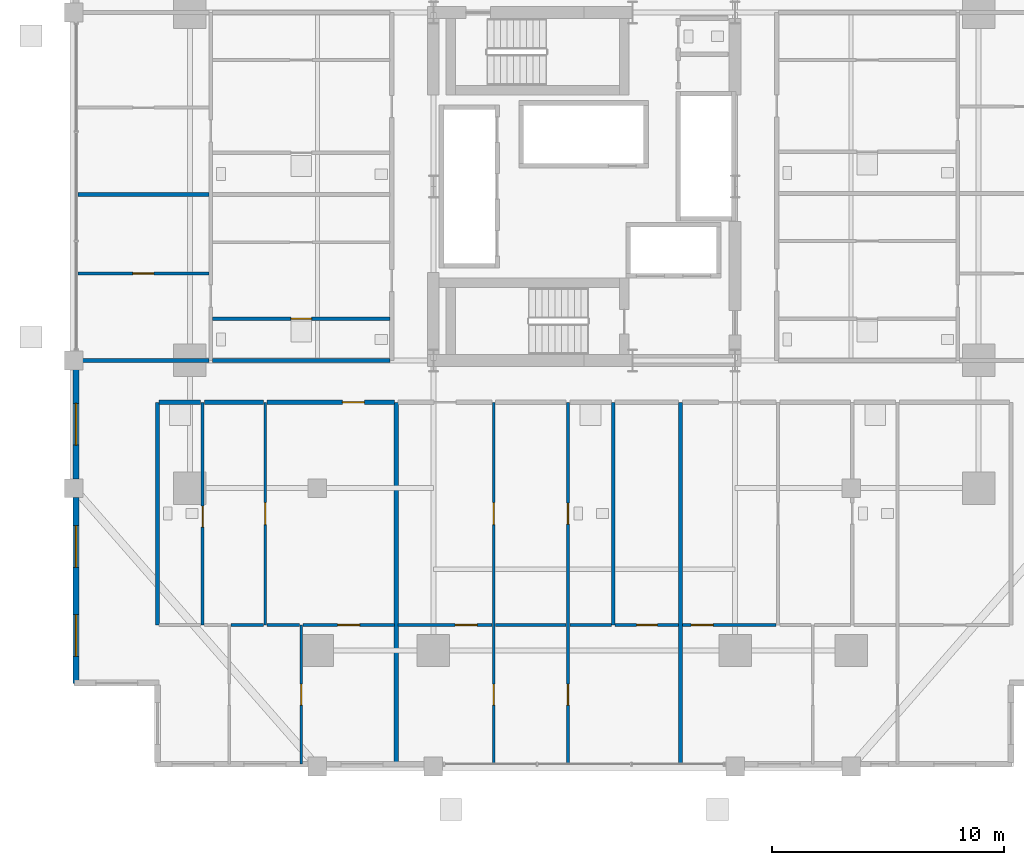
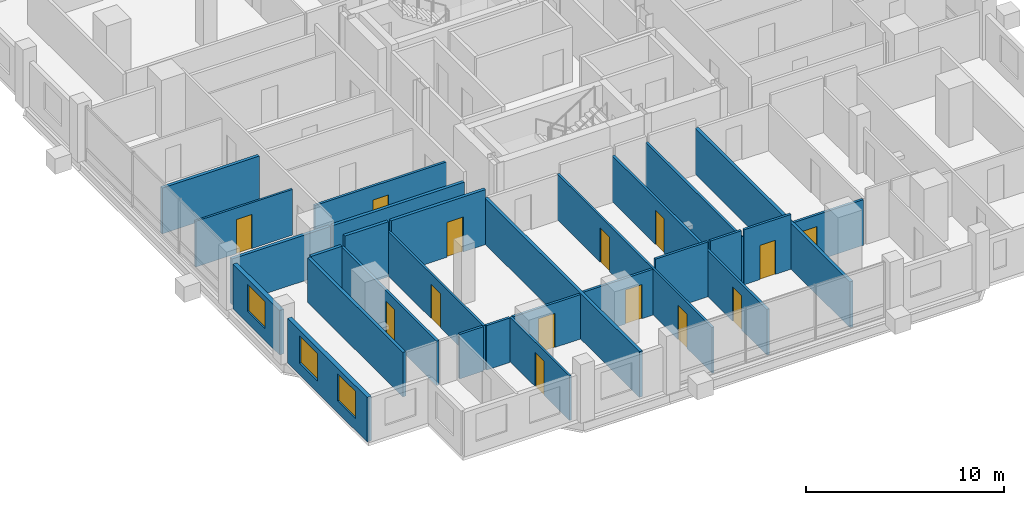
# One storey, part 17 of 24: 27 walls, 14 doors, 3 windows, 17 openings.
"""IFC4 building model written with IfcOpenShell, lengths in metres."""

from ifc_helpers import new_model, si_unit, direction, frame, frame_2d, origin, place, context, subcontext, project, spatial, rectangle, extrude, material, layer, layer_set, type_object, element, fill, save


model = new_model("IFC4")

# Units and contexts
model_context = context("Model", 3, precision=1e-05, world=origin(), true_north=direction((0.0, 1.0)))
body_context = subcontext(model_context, "Body", "Model", "MODEL_VIEW")
ifc_project = project(units=[si_unit("LENGTHUNIT", "METRE"), si_unit("AREAUNIT", "SQUARE_METRE"), si_unit("VOLUMEUNIT", "CUBIC_METRE"), si_unit("PLANEANGLEUNIT", "RADIAN"), si_unit("MASSUNIT", "GRAM", prefix="KILO")], contexts=[model_context])

# Site, building, storey
site_placement = place(None, origin())
site = spatial("IfcSite", under=ifc_project, at=site_placement, CompositionType="ELEMENT")
building_placement = place(site_placement, origin())
building = spatial("IfcBuilding", under=site, at=building_placement, Name="Barlavira Tower and Art Museum", CompositionType="ELEMENT")
storey_placement = place(building_placement, frame((0.0, 0.0, 32.39990234375)))
storey = spatial("IfcBuildingStorey", under=building, at=storey_placement, Name="L06", CompositionType="ELEMENT", Elevation=32.39990234375)

# Wall, opening, door
ifc_material_1 = material(Name="Gypsum acoustic stud partition", Category="gypsum")
ifc_layer_1 = layer(ifc_material_1, 0.1201171875, Name="Gypsum acoustic stud partition")
ifc_layer_set_1 = layer_set([ifc_layer_1], Name="Gypsum acoustic stud partition")
wall_type_1 = type_object("IfcWallType", Name="Apartment Internal Acoustic Partition 120", PredefinedType="PARTITIONING", material=ifc_layer_set_1)
wall_1_placement = place(storey_placement, frame((-13.75, -18.89990234375, 0.0), z_axis=(0.0, 0.0, 1.0), x_axis=(0.0, 1.0, 0.0)))
wall_1 = element("IfcWall", 1, at=wall_1_placement, inside=storey, type_object=wall_type_1, Name="L06 Partition Wall 6", PredefinedType="PARTITIONING", context=body_context, shape_type="SweptSolid", body=[
    extrude(rectangle(XDim=9.599853515625, YDim=0.1201171875, at=frame_2d((4.7998046875, 0.0))), origin(), (0.0, 0.0, 1.0), 2.736083984375),
])
opening_1_placement = place(wall_1_placement, frame((4.324951171875, 0.0, 0.0)))
opening_1 = element("IfcOpeningElement", 2, at=opening_1_placement, cuts=wall_1, Name="Opening D-02", PredefinedType="OPENING", context=body_context, shape_type="SweptSolid", body=[
    extrude(rectangle(XDim=0.949951171875, YDim=2.10009765625, at=frame_2d((0.47509765625, 1.050048828125))), frame((0.0, 0.070068359375, 0.0), z_axis=(0.0, -1.0, 0.0), x_axis=(1.0, 0.0, 0.0)), (0.0, 0.0, 1.0), 0.14013671875),
])
ifc_material_2 = material(Name="Engineered coastal hardwood", Category="wood")
door_type_1 = type_object("IfcDoorType", Name="Living and Salon Glazed-Leaf Door 950x2100", OperationType="NOTDEFINED", PredefinedType="DOOR", material=ifc_material_2)
door_1_placement = place(opening_1_placement, origin())
door_1 = element("IfcDoor", 3, at=door_1_placement, inside=storey, type_object=door_type_1, Name="Apartment S1 Kitchen Door", OperationType="SINGLE_SWING_RIGHT", OverallHeight=2.10009765625, OverallWidth=0.949951171875, PredefinedType="DOOR", context=body_context, shape_type="SweptSolid", body=[
    extrude(rectangle(XDim=0.949951171875, YDim=2.10009765625, at=frame_2d((0.47509765625, 1.050048828125))), frame((0.0, 0.02490234375, 0.0), z_axis=(0.0, -1.0, 0.0), x_axis=(1.0, 0.0, 0.0)), (0.0, 0.0, 1.0), 0.050048828125),
])
fill(opening_1, door_1)

wall_2_placement = place(storey_placement, frame((-12.199951171875, -24.89990234375, 0.0), z_axis=(0.0, 0.0, 1.0), x_axis=(0.0, 1.0, 0.0)))
wall_2 = element("IfcWall", 4, at=wall_2_placement, inside=storey, type_object=wall_type_1, Name="L06 Partition Wall 8", PredefinedType="PARTITIONING", context=body_context, shape_type="SweptSolid", body=[
    extrude(rectangle(XDim=6.0, YDim=0.1201171875, at=frame_2d((3.0, 0.0))), origin(), (0.0, 0.0, 1.0), 2.736083984375),
])
opening_2_placement = place(wall_2_placement, frame((2.550048828125, 0.0, 0.0)))
opening_2 = element("IfcOpeningElement", 5, at=opening_2_placement, cuts=wall_2, Name="Opening D-01", PredefinedType="OPENING", context=body_context, shape_type="SweptSolid", body=[
    extrude(rectangle(XDim=0.89990234375, YDim=2.10009765625, at=frame_2d((0.449951171875, 1.050048828125))), frame((0.0, 0.070068359375, 0.0), z_axis=(0.0, -1.0, 0.0), x_axis=(1.0, 0.0, 0.0)), (0.0, 0.0, 1.0), 0.14013671875),
])
door_type_2 = type_object("IfcDoorType", Name="Internal Bedroom Timber Flush Door 900x2100", OperationType="NOTDEFINED", PredefinedType="DOOR", material=ifc_material_2)
door_2_placement = place(opening_2_placement, origin())
door_2 = element("IfcDoor", 6, at=door_2_placement, inside=storey, type_object=door_type_2, Name="Apartment S1 Bedroom 1 Door", OperationType="SINGLE_SWING_LEFT", OverallHeight=2.10009765625, OverallWidth=0.89990234375, PredefinedType="DOOR", context=body_context, shape_type="SweptSolid", body=[
    extrude(rectangle(XDim=0.89990234375, YDim=2.10009765625, at=frame_2d((0.449951171875, 1.050048828125))), frame((0.0, 0.02490234375, 0.0), z_axis=(0.0, -1.0, 0.0), x_axis=(1.0, 0.0, 0.0)), (0.0, 0.0, 1.0), 0.050048828125),
])
fill(opening_2, door_2)

# Wall, openings, doors
wall_3_placement = place(storey_placement, frame((-3.89990234375, -24.89990234375, 0.0), z_axis=(0.0, 0.0, 1.0), x_axis=(0.0, 1.0, 0.0)))
wall_3 = element("IfcWall", 7, at=wall_3_placement, inside=storey, type_object=wall_type_1, Name="L06 Partition Wall 14", PredefinedType="PARTITIONING", context=body_context, shape_type="SweptSolid", body=[
    extrude(rectangle(XDim=15.599853515625, YDim=0.1201171875, at=frame_2d((7.7998046875, 0.0))), origin(), (0.0, 0.0, 1.0), 2.816162109375),
])
opening_3_placement = place(wall_3_placement, frame((10.324951171875, 0.0, 0.0)))
opening_3 = element("IfcOpeningElement", 8, at=opening_3_placement, cuts=wall_3, Name="Opening D-02", PredefinedType="OPENING", context=body_context, shape_type="SweptSolid", body=[
    extrude(rectangle(XDim=0.949951171875, YDim=2.10009765625, at=frame_2d((0.47509765625, 1.050048828125))), frame((0.0, 0.070068359375, 0.0), z_axis=(0.0, -1.0, 0.0), x_axis=(1.0, 0.0, 0.0)), (0.0, 0.0, 1.0), 0.14013671875),
])
opening_4_placement = place(wall_3_placement, frame((2.550048828125, 0.0, 0.0)))
opening_4 = element("IfcOpeningElement", 9, at=opening_4_placement, cuts=wall_3, Name="Opening D-01", PredefinedType="OPENING", context=body_context, shape_type="SweptSolid", body=[
    extrude(rectangle(XDim=0.89990234375, YDim=2.10009765625, at=frame_2d((0.449951171875, 1.050048828125))), frame((0.0, 0.070068359375, 0.0), z_axis=(0.0, -1.0, 0.0), x_axis=(1.0, 0.0, 0.0)), (0.0, 0.0, 1.0), 0.14013671875),
])
door_3_placement = place(opening_4_placement, origin())
door_3 = element("IfcDoor", 10, at=door_3_placement, inside=storey, type_object=door_type_2, Name="Apartment S2 Bedroom 1 Door", OperationType="SINGLE_SWING_RIGHT", OverallHeight=2.10009765625, OverallWidth=0.89990234375, PredefinedType="DOOR", context=body_context, shape_type="SweptSolid", body=[
    extrude(rectangle(XDim=0.89990234375, YDim=2.10009765625, at=frame_2d((0.449951171875, 1.050048828125))), frame((0.0, 0.02490234375, 0.0), z_axis=(0.0, -1.0, 0.0), x_axis=(1.0, 0.0, 0.0)), (0.0, 0.0, 1.0), 0.050048828125),
])
fill(opening_4, door_3)
door_4_placement = place(opening_3_placement, origin())
door_4 = element("IfcDoor", 11, at=door_4_placement, inside=storey, type_object=door_type_1, Name="Apartment S2 Kitchen Door", OperationType="SINGLE_SWING_RIGHT", OverallHeight=2.10009765625, OverallWidth=0.949951171875, PredefinedType="DOOR", context=body_context, shape_type="SweptSolid", body=[
    extrude(rectangle(XDim=0.949951171875, YDim=2.10009765625, at=frame_2d((0.47509765625, 1.050048828125))), frame((0.0, 0.02490234375, 0.0), z_axis=(0.0, -1.0, 0.0), x_axis=(1.0, 0.0, 0.0)), (0.0, 0.0, 1.0), 0.050048828125),
])
fill(opening_3, door_4)

# Wall, opening, door
wall_4_placement = place(storey_placement, frame((-21.820068359375, -3.75, 0.0), z_axis=(0.0, 0.0, 1.0), x_axis=(1.0, 0.0, 0.0)))
wall_4 = element("IfcWall", 12, at=wall_4_placement, inside=storey, type_object=wall_type_1, Name="L06 Partition Wall 64", PredefinedType="PARTITIONING", context=body_context, shape_type="SweptSolid", body=[
    extrude(rectangle(XDim=5.64013671875, YDim=0.1201171875, at=frame_2d((2.820068359375, 0.0))), origin(), (0.0, 0.0, 1.0), 2.816162109375),
])
opening_5_placement = place(wall_4_placement, frame((2.3701171875, 0.0, 0.0)))
opening_5 = element("IfcOpeningElement", 13, at=opening_5_placement, cuts=wall_4, Name="Opening D-01", PredefinedType="OPENING", context=body_context, shape_type="SweptSolid", body=[
    extrude(rectangle(XDim=0.89990234375, YDim=2.10009765625, at=frame_2d((0.449951171875, 1.050048828125))), frame((0.0, 0.070068359375, 0.0), z_axis=(0.0, -1.0, 0.0), x_axis=(1.0, 0.0, 0.0)), (0.0, 0.0, 1.0), 0.14013671875),
])
door_5_placement = place(opening_5_placement, origin())
door_5 = element("IfcDoor", 14, at=door_5_placement, inside=storey, type_object=door_type_2, Name="Apartment W1 Bedroom 1 Door", OperationType="SINGLE_SWING_LEFT", OverallHeight=2.10009765625, OverallWidth=0.89990234375, PredefinedType="DOOR", context=body_context, shape_type="SweptSolid", body=[
    extrude(rectangle(XDim=0.89990234375, YDim=2.10009765625, at=frame_2d((0.449951171875, 1.050048828125))), frame((0.0, 0.02490234375, 0.0), z_axis=(0.0, -1.0, 0.0), x_axis=(1.0, 0.0, 0.0)), (0.0, 0.0, 1.0), 0.050048828125),
])
fill(opening_5, door_5)

# Walls
ifc_layer_2 = layer(ifc_material_1, 0.179931640625, Name="Gypsum acoustic stud partition")
ifc_layer_set_2 = layer_set([ifc_layer_2], Name="Gypsum acoustic stud partition")
wall_type_2 = type_object("IfcWallType", Name="Inter-Tenancy Party Partition Wall 180", PredefinedType="PARTITIONING", material=ifc_layer_set_2)
wall_5_placement = place(storey_placement, frame((-18.39990234375, -18.89990234375, 0.0), z_axis=(0.0, 0.0, 1.0), x_axis=(0.0, 1.0, 0.0)))
element("IfcWall", 15, at=wall_5_placement, inside=storey, type_object=wall_type_2, Name="L06 Partition Wall 1", PredefinedType="PARTITIONING", context=body_context, shape_type="SweptSolid", body=[
    extrude(rectangle(XDim=9.599853515625, YDim=0.179931640625, at=frame_2d((4.7998046875, 0.0))), origin(), (0.0, 0.0, 1.0), 2.736083984375),
])
for number, where, z_axis, x_axis, name in (
    (16, (-8.10009765625, -24.89990234375, 0.0), (0.0, 0.0, 1.0), (0.0, 1.0, 0.0), "L06 Partition Wall 10"),
    (17, (4.14990234375, -24.89990234375, 0.0), (0.0, 0.0, 1.0), (0.0, 1.0, 0.0), "L06 Partition Wall 21"),
):
    element("IfcWall", number, at=place(storey_placement, frame(where, z_axis=z_axis, x_axis=x_axis)), inside=storey, type_object=wall_type_2, Name=name, PredefinedType="PARTITIONING", context=body_context, shape_type="SweptSolid", body=[
        extrude(rectangle(XDim=15.599853515625, YDim=0.179931640625, at=frame_2d((7.7998046875, 0.0))), origin(), (0.0, 0.0, 1.0), 2.816162109375),
    ])
wall_6_placement = place(storey_placement, frame((-18.320068359375, -9.300048828125, 0.0), z_axis=(0.0, 0.0, 1.0), x_axis=(1.0, 0.0, 0.0)))
element("IfcWall", 18, at=wall_6_placement, inside=storey, type_object=wall_type_2, Name="L06 Partition Wall 47", PredefinedType="PARTITIONING", context=body_context, shape_type="SweptSolid", body=[
    extrude(rectangle(XDim=1.7900390625, YDim=0.179931640625, at=frame_2d((0.89501953125, 0.0))), origin(), (0.0, 0.0, 1.0), 2.816162109375),
])
wall_7_placement = place(storey_placement, frame((-16.3701171875, -9.300048828125, 0.0), z_axis=(0.0, 0.0, 1.0), x_axis=(1.0, 0.0, 0.0)))
element("IfcWall", 19, at=wall_7_placement, inside=storey, type_object=wall_type_2, Name="L06 Partition Wall 48", PredefinedType="PARTITIONING", context=body_context, shape_type="SweptSolid", body=[
    extrude(rectangle(XDim=2.5400390625, YDim=0.179931640625, at=frame_2d((1.27001953125, 0.0))), origin(), (0.0, 0.0, 1.0), 3.380126953125),
])

# Wall, opening, door
wall_8_placement = place(storey_placement, frame((-13.669921875, -9.300048828125, 0.0), z_axis=(0.0, 0.0, 1.0), x_axis=(1.0, 0.0, 0.0)))
wall_8 = element("IfcWall", 20, at=wall_8_placement, inside=storey, type_object=wall_type_2, Name="L06 Partition Wall 49", PredefinedType="PARTITIONING", context=body_context, shape_type="SweptSolid", body=[
    extrude(rectangle(XDim=5.489990234375, YDim=0.179931640625, at=frame_2d((2.7451171875, 0.0))), origin(), (0.0, 0.0, 1.0), 3.380126953125),
])
opening_6_placement = place(wall_8_placement, frame((3.2451171875, 0.0, 0.0)))
opening_6 = element("IfcOpeningElement", 21, at=opening_6_placement, cuts=wall_8, Name="Opening FD-60", PredefinedType="OPENING", context=body_context, shape_type="SweptSolid", body=[
    extrude(rectangle(XDim=0.949951171875, YDim=2.14990234375, at=frame_2d((0.47509765625, 1.074951171875))), frame((0.0, 0.10009765625, 0.0), z_axis=(0.0, -1.0, 0.0), x_axis=(1.0, 0.0, 0.0)), (0.0, 0.0, 1.0), 0.199951171875),
])
ifc_material_3 = material(Name="Brushed stainless steel", Category="steel")
door_type_3 = type_object("IfcDoorType", Name="Apartment Entrance and Riser Fire Door 950x2150 FD60S", OperationType="NOTDEFINED", PredefinedType="DOOR", material=ifc_material_3)
door_6_placement = place(opening_6_placement, origin())
door_6 = element("IfcDoor", 22, at=door_6_placement, inside=storey, type_object=door_type_3, Name="Apartment Entrance Hall S1 Door", OperationType="SINGLE_SWING_LEFT", OverallHeight=2.14990234375, OverallWidth=0.949951171875, PredefinedType="DOOR", context=body_context, shape_type="SweptSolid", body=[
    extrude(rectangle(XDim=0.949951171875, YDim=2.14990234375, at=frame_2d((0.47509765625, 1.074951171875))), frame((0.0, 0.02490234375, 0.0), z_axis=(0.0, -1.0, 0.0), x_axis=(1.0, 0.0, 0.0)), (0.0, 0.0, 1.0), 0.050048828125),
])
fill(opening_6, door_6)

# Walls
wall_9_placement = place(storey_placement, frame((-21.89990234375, -7.5, 0.0), z_axis=(0.0, 0.0, 1.0), x_axis=(1.0, 0.0, 0.0)))
element("IfcWall", 23, at=wall_9_placement, inside=storey, type_object=wall_type_2, Name="L06 Partition Wall 58", PredefinedType="PARTITIONING", context=body_context, shape_type="SweptSolid", body=[
    extrude(rectangle(XDim=5.719970703125, YDim=0.179931640625, at=frame_2d((2.85986328125, 0.0))), origin(), (0.0, 0.0, 1.0), 2.816162109375),
])
wall_10_placement = place(storey_placement, frame((-16.02001953125, -7.5, 0.0), z_axis=(0.0, 0.0, 1.0), x_axis=(1.0, 0.0, 0.0)))
element("IfcWall", 24, at=wall_10_placement, inside=storey, type_object=wall_type_2, Name="L06 Partition Wall 59", PredefinedType="PARTITIONING", context=body_context, shape_type="SweptSolid", body=[
    extrude(rectangle(XDim=7.64013671875, YDim=0.179931640625, at=frame_2d((3.820068359375, 0.0))), origin(), (0.0, 0.0, 1.0), 2.816162109375),
])
wall_11_placement = place(storey_placement, frame((-21.820068359375, -0.35009765625, 0.0), z_axis=(0.0, 0.0, 1.0), x_axis=(1.0, 0.0, 0.0)))
element("IfcWall", 25, at=wall_11_placement, inside=storey, type_object=wall_type_2, Name="L06 Partition Wall 68", PredefinedType="PARTITIONING", context=body_context, shape_type="SweptSolid", body=[
    extrude(rectangle(XDim=5.64013671875, YDim=0.179931640625, at=frame_2d((2.820068359375, 0.0))), origin(), (0.0, 0.0, 1.0), 2.816162109375),
])

# Wall, opening, door
ifc_layer_3 = layer(ifc_material_1, 0.139892578125, Name="Gypsum acoustic stud partition")
ifc_layer_set_3 = layer_set([ifc_layer_3], Name="Gypsum acoustic stud partition")
wall_type_3 = type_object("IfcWallType", Name="Moisture-Resistant Bathroom Partition 140", PredefinedType="PARTITIONING", material=ifc_layer_set_3)
wall_12_placement = place(storey_placement, frame((-16.449951171875, -18.89990234375, 0.0), z_axis=(0.0, 0.0, 1.0), x_axis=(0.0, 1.0, 0.0)))
wall_12 = element("IfcWall", 26, at=wall_12_placement, inside=storey, type_object=wall_type_3, Name="L06 Partition Wall 3", PredefinedType="PARTITIONING", context=body_context, shape_type="SweptSolid", body=[
    extrude(rectangle(XDim=9.599853515625, YDim=0.139892578125, at=frame_2d((4.7998046875, 0.0))), origin(), (0.0, 0.0, 1.0), 2.736083984375),
])
opening_7_placement = place(wall_12_placement, frame((4.2216796875, 0.0, 0.0)))
opening_7 = element("IfcOpeningElement", 27, at=opening_7_placement, cuts=wall_12, Name="Opening D-WC", PredefinedType="OPENING", context=body_context, shape_type="SweptSolid", body=[
    extrude(rectangle(XDim=0.89990234375, YDim=2.10009765625, at=frame_2d((0.449951171875, 1.050048828125))), frame((0.0, 0.080078125, 0.0), z_axis=(0.0, -1.0, 0.0), x_axis=(1.0, 0.0, 0.0)), (0.0, 0.0, 1.0), 0.159912109375),
])
door_type_4 = type_object("IfcDoorType", Name="Accessible Bathroom Flush Door 900x2100", OperationType="NOTDEFINED", PredefinedType="DOOR", material=ifc_material_2)
door_7_placement = place(opening_7_placement, origin())
door_7 = element("IfcDoor", 28, at=door_7_placement, inside=storey, type_object=door_type_4, Name="Apartment S1 Hall Bathroom Door", OperationType="SINGLE_SWING_LEFT", OverallHeight=2.10009765625, OverallWidth=0.89990234375, PredefinedType="DOOR", context=body_context, shape_type="SweptSolid", body=[
    extrude(rectangle(XDim=0.89990234375, YDim=2.10009765625, at=frame_2d((0.449951171875, 1.050048828125))), frame((0.0, 0.02490234375, 0.0), z_axis=(0.0, -1.0, 0.0), x_axis=(1.0, 0.0, 0.0)), (0.0, 0.0, 1.0), 0.050048828125),
])
fill(opening_7, door_7)

# Wall, openings, doors
wall_13_placement = place(storey_placement, frame((-0.699951171875, -24.89990234375, 0.0), z_axis=(0.0, 0.0, 1.0), x_axis=(0.0, 1.0, 0.0)))
wall_13 = element("IfcWall", 29, at=wall_13_placement, inside=storey, type_object=wall_type_3, Name="L06 Partition Wall 15", PredefinedType="PARTITIONING", context=body_context, shape_type="SweptSolid", body=[
    extrude(rectangle(XDim=15.599853515625, YDim=0.139892578125, at=frame_2d((7.7998046875, 0.0))), origin(), (0.0, 0.0, 1.0), 2.816162109375),
])
opening_8_placement = place(wall_13_placement, frame((10.35009765625, 0.0, 0.0)))
opening_8 = element("IfcOpeningElement", 30, at=opening_8_placement, cuts=wall_13, Name="Opening D-WC", PredefinedType="OPENING", context=body_context, shape_type="SweptSolid", body=[
    extrude(rectangle(XDim=0.89990234375, YDim=2.10009765625, at=frame_2d((0.449951171875, 1.050048828125))), frame((0.0, 0.080078125, 0.0), z_axis=(0.0, -1.0, 0.0), x_axis=(1.0, 0.0, 0.0)), (0.0, 0.0, 1.0), 0.159912109375),
])
opening_9_placement = place(wall_13_placement, frame((2.550048828125, 0.0, 0.0)))
opening_9 = element("IfcOpeningElement", 31, at=opening_9_placement, cuts=wall_13, Name="Opening D-01", PredefinedType="OPENING", context=body_context, shape_type="SweptSolid", body=[
    extrude(rectangle(XDim=0.89990234375, YDim=2.10009765625, at=frame_2d((0.449951171875, 1.050048828125))), frame((0.0, 0.080078125, 0.0), z_axis=(0.0, -1.0, 0.0), x_axis=(1.0, 0.0, 0.0)), (0.0, 0.0, 1.0), 0.159912109375),
])
door_8_placement = place(opening_8_placement, origin())
door_8 = element("IfcDoor", 32, at=door_8_placement, inside=storey, type_object=door_type_4, Name="Apartment S2 Hall Bathroom Door", OperationType="SINGLE_SWING_LEFT", OverallHeight=2.10009765625, OverallWidth=0.89990234375, PredefinedType="DOOR", context=body_context, shape_type="SweptSolid", body=[
    extrude(rectangle(XDim=0.89990234375, YDim=2.10009765625, at=frame_2d((0.449951171875, 1.050048828125))), frame((0.0, 0.02490234375, 0.0), z_axis=(0.0, -1.0, 0.0), x_axis=(1.0, 0.0, 0.0)), (0.0, 0.0, 1.0), 0.050048828125),
])
fill(opening_8, door_8)
door_9_placement = place(opening_9_placement, origin())
door_9 = element("IfcDoor", 33, at=door_9_placement, inside=storey, type_object=door_type_2, Name="Apartment S2 Bedroom 2 Door", OperationType="SINGLE_SWING_LEFT", OverallHeight=2.10009765625, OverallWidth=0.89990234375, PredefinedType="DOOR", context=body_context, shape_type="SweptSolid", body=[
    extrude(rectangle(XDim=0.89990234375, YDim=2.10009765625, at=frame_2d((0.449951171875, 1.050048828125))), frame((0.0, 0.02490234375, 0.0), z_axis=(0.0, -1.0, 0.0), x_axis=(1.0, 0.0, 0.0)), (0.0, 0.0, 1.0), 0.050048828125),
])
fill(opening_9, door_9)

# Walls
wall_14_placement = place(storey_placement, frame((1.25, -18.89990234375, 0.0), z_axis=(0.0, 0.0, 1.0), x_axis=(0.0, 1.0, 0.0)))
element("IfcWall", 34, at=wall_14_placement, inside=storey, type_object=wall_type_3, Name="L06 Partition Wall 17", PredefinedType="PARTITIONING", context=body_context, shape_type="SweptSolid", body=[
    extrude(rectangle(XDim=9.599853515625, YDim=0.139892578125, at=frame_2d((4.7998046875, 0.0))), origin(), (0.0, 0.0, 1.0), 2.947998046875),
])
for number, where, z_axis, x_axis, name in (
    (35, (-15.219970703125, -18.89990234375, 0.0), (0.0, 0.0, 1.0), (1.0, 0.0, 0.0), "L06 Partition Wall 35"),
    (36, (-13.669921875, -18.89990234375, 0.0), (0.0, 0.0, 1.0), (1.0, 0.0, 0.0), "L06 Partition Wall 36"),
):
    element("IfcWall", number, at=place(storey_placement, frame(where, z_axis=z_axis, x_axis=x_axis)), inside=storey, type_object=wall_type_3, Name=name, PredefinedType="PARTITIONING", context=body_context, shape_type="SweptSolid", body=[
        extrude(rectangle(XDim=1.389892578125, YDim=0.139892578125, at=frame_2d((0.69482421875, 0.0))), origin(), (0.0, 0.0, 1.0), 2.736083984375),
    ])

# Wall, opening, door
wall_15_placement = place(storey_placement, frame((-12.1201171875, -18.89990234375, 0.0), z_axis=(0.0, 0.0, 1.0), x_axis=(1.0, 0.0, 0.0)))
wall_15 = element("IfcWall", 37, at=wall_15_placement, inside=storey, type_object=wall_type_3, Name="L06 Partition Wall 37", PredefinedType="PARTITIONING", context=body_context, shape_type="SweptSolid", body=[
    extrude(rectangle(XDim=3.940185546875, YDim=0.139892578125, at=frame_2d((1.97021484375, 0.0))), origin(), (0.0, 0.0, 1.0), 2.736083984375),
])
opening_10_placement = place(wall_15_placement, frame((1.485107421875, 0.0, 0.0)))
opening_10 = element("IfcOpeningElement", 38, at=opening_10_placement, cuts=wall_15, Name="Opening D-02", PredefinedType="OPENING", context=body_context, shape_type="SweptSolid", body=[
    extrude(rectangle(XDim=0.949951171875, YDim=2.10009765625, at=frame_2d((0.47509765625, 1.050048828125))), frame((0.0, 0.080078125, 0.0), z_axis=(0.0, -1.0, 0.0), x_axis=(1.0, 0.0, 0.0)), (0.0, 0.0, 1.0), 0.159912109375),
])
door_10_placement = place(opening_10_placement, origin())
door_10 = element("IfcDoor", 39, at=door_10_placement, inside=storey, type_object=door_type_1, Name="Apartment S1 Living Lounge Door", OperationType="SINGLE_SWING_RIGHT", OverallHeight=2.10009765625, OverallWidth=0.949951171875, PredefinedType="DOOR", context=body_context, shape_type="SweptSolid", body=[
    extrude(rectangle(XDim=0.949951171875, YDim=2.10009765625, at=frame_2d((0.47509765625, 1.050048828125))), frame((0.0, 0.02490234375, 0.0), z_axis=(0.0, -1.0, 0.0), x_axis=(1.0, 0.0, 0.0)), (0.0, 0.0, 1.0), 0.050048828125),
])
fill(opening_10, door_10)

wall_16_placement = place(storey_placement, frame((-8.02001953125, -18.89990234375, 0.0), z_axis=(0.0, 0.0, 1.0), x_axis=(1.0, 0.0, 0.0)))
wall_16 = element("IfcWall", 40, at=wall_16_placement, inside=storey, type_object=wall_type_3, Name="L06 Partition Wall 38", PredefinedType="PARTITIONING", context=body_context, shape_type="SweptSolid", body=[
    extrude(rectangle(XDim=4.0400390625, YDim=0.139892578125, at=frame_2d((2.02001953125, 0.0))), origin(), (0.0, 0.0, 1.0), 2.816162109375),
])
opening_11_placement = place(wall_16_placement, frame((2.451904296875, 0.0, 0.0)))
opening_11 = element("IfcOpeningElement", 41, at=opening_11_placement, cuts=wall_16, Name="Opening D-02", PredefinedType="OPENING", context=body_context, shape_type="SweptSolid", body=[
    extrude(rectangle(XDim=0.949951171875, YDim=2.10009765625, at=frame_2d((0.47509765625, 1.050048828125))), frame((0.0, 0.080078125, 0.0), z_axis=(0.0, -1.0, 0.0), x_axis=(1.0, 0.0, 0.0)), (0.0, 0.0, 1.0), 0.159912109375),
])
door_11_placement = place(opening_11_placement, origin())
door_11 = element("IfcDoor", 42, at=door_11_placement, inside=storey, type_object=door_type_1, Name="Apartment S2 Living Lounge Door", OperationType="SINGLE_SWING_LEFT", OverallHeight=2.10009765625, OverallWidth=0.949951171875, PredefinedType="DOOR", context=body_context, shape_type="SweptSolid", body=[
    extrude(rectangle(XDim=0.949951171875, YDim=2.10009765625, at=frame_2d((0.47509765625, 1.050048828125))), frame((0.0, 0.02490234375, 0.0), z_axis=(0.0, -1.0, 0.0), x_axis=(1.0, 0.0, 0.0)), (0.0, 0.0, 1.0), 0.050048828125),
])
fill(opening_11, door_11)

# Walls
wall_17_placement = place(storey_placement, frame((-3.820068359375, -18.89990234375, 0.0), z_axis=(0.0, 0.0, 1.0), x_axis=(1.0, 0.0, 0.0)))
element("IfcWall", 43, at=wall_17_placement, inside=storey, type_object=wall_type_3, Name="L06 Partition Wall 39", PredefinedType="PARTITIONING", context=body_context, shape_type="SweptSolid", body=[
    extrude(rectangle(XDim=3.0400390625, YDim=0.139892578125, at=frame_2d((1.52001953125, 0.0))), origin(), (0.0, 0.0, 1.0), 3.380126953125),
])
wall_18_placement = place(storey_placement, frame((-0.6201171875, -18.89990234375, 0.0), z_axis=(0.0, 0.0, 1.0), x_axis=(1.0, 0.0, 0.0)))
element("IfcWall", 44, at=wall_18_placement, inside=storey, type_object=wall_type_3, Name="L06 Partition Wall 40", PredefinedType="PARTITIONING", context=body_context, shape_type="SweptSolid", body=[
    extrude(rectangle(XDim=1.7900390625, YDim=0.139892578125, at=frame_2d((0.89501953125, 0.0))), origin(), (0.0, 0.0, 1.0), 3.380126953125),
])

# Wall, opening, door
wall_19_placement = place(storey_placement, frame((1.330078125, -18.89990234375, 0.0), z_axis=(0.0, 0.0, 1.0), x_axis=(1.0, 0.0, 0.0)))
wall_19 = element("IfcWall", 45, at=wall_19_placement, inside=storey, type_object=wall_type_3, Name="L06 Partition Wall 41", PredefinedType="PARTITIONING", context=body_context, shape_type="SweptSolid", body=[
    extrude(rectangle(XDim=2.739990234375, YDim=0.139892578125, at=frame_2d((1.3701171875, 0.0))), origin(), (0.0, 0.0, 1.0), 3.380126953125),
])
opening_12_placement = place(wall_19_placement, frame((0.925048828125, 0.0, 0.0)))
opening_12 = element("IfcOpeningElement", 46, at=opening_12_placement, cuts=wall_19, Name="Opening D-01", PredefinedType="OPENING", context=body_context, shape_type="SweptSolid", body=[
    extrude(rectangle(XDim=0.89990234375, YDim=2.10009765625, at=frame_2d((0.449951171875, 1.050048828125))), frame((0.0, 0.080078125, 0.0), z_axis=(0.0, -1.0, 0.0), x_axis=(1.0, 0.0, 0.0)), (0.0, 0.0, 1.0), 0.159912109375),
])
door_12_placement = place(opening_12_placement, origin())
door_12 = element("IfcDoor", 47, at=door_12_placement, inside=storey, type_object=door_type_2, Name="Apartment S2 Walk-In Dressing Room Door", OperationType="SINGLE_SWING_RIGHT", OverallHeight=2.10009765625, OverallWidth=0.89990234375, PredefinedType="DOOR", context=body_context, shape_type="SweptSolid", body=[
    extrude(rectangle(XDim=0.89990234375, YDim=2.10009765625, at=frame_2d((0.449951171875, 1.050048828125))), frame((0.0, 0.02490234375, 0.0), z_axis=(0.0, -1.0, 0.0), x_axis=(1.0, 0.0, 0.0)), (0.0, 0.0, 1.0), 0.050048828125),
])
fill(opening_12, door_12)

wall_20_placement = place(storey_placement, frame((4.22998046875, -18.89990234375, 0.0), z_axis=(0.0, 0.0, 1.0), x_axis=(1.0, 0.0, 0.0)))
wall_20 = element("IfcWall", 48, at=wall_20_placement, inside=storey, type_object=wall_type_3, Name="L06 Partition Wall 42", PredefinedType="PARTITIONING", context=body_context, shape_type="SweptSolid", body=[
    extrude(rectangle(XDim=4.0400390625, YDim=0.139892578125, at=frame_2d((2.02001953125, 0.0))), origin(), (0.0, 0.0, 1.0), 2.816162109375),
])
opening_13_placement = place(wall_20_placement, frame((0.379150390625, 0.0, 0.0)))
opening_13 = element("IfcOpeningElement", 49, at=opening_13_placement, cuts=wall_20, Name="Opening D-02", PredefinedType="OPENING", context=body_context, shape_type="SweptSolid", body=[
    extrude(rectangle(XDim=0.949951171875, YDim=2.10009765625, at=frame_2d((0.47509765625, 1.050048828125))), frame((0.0, 0.080078125, 0.0), z_axis=(0.0, -1.0, 0.0), x_axis=(1.0, 0.0, 0.0)), (0.0, 0.0, 1.0), 0.159912109375),
])
door_13_placement = place(opening_13_placement, origin())
door_13 = element("IfcDoor", 50, at=door_13_placement, inside=storey, type_object=door_type_1, Name="Apartment S3 Living Lounge Door", OperationType="SINGLE_SWING_RIGHT", OverallHeight=2.10009765625, OverallWidth=0.949951171875, PredefinedType="DOOR", context=body_context, shape_type="SweptSolid", body=[
    extrude(rectangle(XDim=0.949951171875, YDim=2.10009765625, at=frame_2d((0.47509765625, 1.050048828125))), frame((0.0, 0.02490234375, 0.0), z_axis=(0.0, -1.0, 0.0), x_axis=(1.0, 0.0, 0.0)), (0.0, 0.0, 1.0), 0.050048828125),
])
fill(opening_13, door_13)

wall_21_placement = place(storey_placement, frame((-16.02001953125, -5.699951171875, 0.0), z_axis=(0.0, 0.0, 1.0), x_axis=(1.0, 0.0, 0.0)))
wall_21 = element("IfcWall", 51, at=wall_21_placement, inside=storey, type_object=wall_type_3, Name="L06 Partition Wall 62", PredefinedType="PARTITIONING", context=body_context, shape_type="SweptSolid", body=[
    extrude(rectangle(XDim=7.64013671875, YDim=0.139892578125, at=frame_2d((3.820068359375, 0.0))), origin(), (0.0, 0.0, 1.0), 2.947998046875),
])
opening_14_placement = place(wall_21_placement, frame((3.3701171875, 0.0, 0.0)))
opening_14 = element("IfcOpeningElement", 52, at=opening_14_placement, cuts=wall_21, Name="Opening D-WC", PredefinedType="OPENING", context=body_context, shape_type="SweptSolid", body=[
    extrude(rectangle(XDim=0.89990234375, YDim=2.10009765625, at=frame_2d((0.449951171875, 1.050048828125))), frame((0.0, 0.080078125, 0.0), z_axis=(0.0, -1.0, 0.0), x_axis=(1.0, 0.0, 0.0)), (0.0, 0.0, 1.0), 0.159912109375),
])
door_14_placement = place(opening_14_placement, origin())
door_14 = element("IfcDoor", 53, at=door_14_placement, inside=storey, type_object=door_type_4, Name="Apartment W1 Hall Bathroom Door", OperationType="SINGLE_SWING_LEFT", OverallHeight=2.10009765625, OverallWidth=0.89990234375, PredefinedType="DOOR", context=body_context, shape_type="SweptSolid", body=[
    extrude(rectangle(XDim=0.89990234375, YDim=2.10009765625, at=frame_2d((0.449951171875, 1.050048828125))), frame((0.0, 0.02490234375, 0.0), z_axis=(0.0, -1.0, 0.0), x_axis=(1.0, 0.0, 0.0)), (0.0, 0.0, 1.0), 0.050048828125),
])
fill(opening_14, door_14)

# Wall, opening, window
ifc_material_4 = material(Name="Precast concrete C40", Category="concrete")
ifc_layer_4 = layer(ifc_material_4, 0.25, Name="Precast concrete C40")
ifc_layer_set_4 = layer_set([ifc_layer_4], Name="Precast concrete C40")
wall_type_4 = type_object("IfcWallType", Name="Notched Corner Spandrel Wall 250 Precast Concrete C40", PredefinedType="SOLIDWALL", material=ifc_layer_set_4)
wall_22_placement = place(storey_placement, frame((-21.89990234375, -7.89501953125, 0.0), z_axis=(0.0, 0.0, 1.0), x_axis=(0.0, -1.0, 0.0)))
wall_22 = element("IfcWall", 54, at=wall_22_placement, inside=storey, type_object=wall_type_4, Name="L06 Coastal Facade Pier Wall CW1-L06-W-4", PredefinedType="SOLIDWALL", context=body_context, shape_type="SweptSolid", body=[
    extrude(rectangle(XDim=4.7099609375, YDim=0.25, at=frame_2d((2.35498046875, 0.0))), origin(), (0.0, 0.0, 1.0), 2.736083984375),
])
opening_15_placement = place(wall_22_placement, frame((1.455078125, 0.0, 0.719970703125)))
opening_15 = element("IfcOpeningElement", 55, at=opening_15_placement, cuts=wall_22, Name="Opening WN-01", PredefinedType="OPENING", context=body_context, shape_type="SweptSolid", body=[
    extrude(rectangle(XDim=1.800048828125, YDim=1.679931640625, at=frame_2d((0.89990234375, 0.83984375))), frame((0.0, 0.135009765625, 0.0), z_axis=(0.0, -1.0, 0.0), x_axis=(1.0, 0.0, 0.0)), (0.0, 0.0, 1.0), 0.27001953125),
])
ifc_material_5 = material(Name="Low-iron coastal laminated glass", Category="glass")
window_type = type_object("IfcWindowType", Name="Recessed Notch Corner Punch Window 1800x1680", PartitioningType="SINGLE_PANEL", PredefinedType="WINDOW", material=ifc_material_5)
window_1_placement = place(opening_15_placement, origin())
window_1 = element("IfcWindow", 56, at=window_1_placement, inside=storey, type_object=window_type, Name="L06 Punched Facade Window EWP-CW1-L06-W-4-1", OverallHeight=1.679931640625, OverallWidth=1.800048828125, PartitioningType="SINGLE_PANEL", PredefinedType="WINDOW", context=body_context, shape_type="SweptSolid", body=[
    extrude(rectangle(XDim=1.800048828125, YDim=1.679931640625, at=frame_2d((0.89990234375, 0.83984375))), frame((0.0, 0.030029296875, 0.0), z_axis=(0.0, -1.0, 0.0), x_axis=(1.0, 0.0, 0.0)), (0.0, 0.0, 1.0), 0.06005859375),
])
fill(opening_15, window_1)

# Wall, openings, windows
wall_23_placement = place(storey_placement, frame((-21.89990234375, -13.39501953125, 0.0), z_axis=(0.0, 0.0, 1.0), x_axis=(0.0, -1.0, 0.0)))
wall_23 = element("IfcWall", 57, at=wall_23_placement, inside=storey, type_object=wall_type_4, Name="L06 Coastal Facade Pier Wall CW1-L06-W-5", PredefinedType="SOLIDWALL", context=body_context, shape_type="SweptSolid", body=[
    extrude(rectangle(XDim=8.030029296875, YDim=0.25, at=frame_2d((4.01513671875, 0.0))), origin(), (0.0, 0.0, 1.0), 2.736083984375),
])
opening_16_placement = place(wall_23_placement, frame((1.220947265625, 0.0, 0.719970703125)))
opening_16 = element("IfcOpeningElement", 58, at=opening_16_placement, cuts=wall_23, Name="Opening WN-01", PredefinedType="OPENING", context=body_context, shape_type="SweptSolid", body=[
    extrude(rectangle(XDim=1.800048828125, YDim=1.679931640625, at=frame_2d((0.89990234375, 0.83984375))), frame((0.0, 0.135009765625, 0.0), z_axis=(0.0, -1.0, 0.0), x_axis=(1.0, 0.0, 0.0)), (0.0, 0.0, 1.0), 0.27001953125),
])
opening_17_placement = place(wall_23_placement, frame((5.053955078125, 0.0, 0.719970703125)))
opening_17 = element("IfcOpeningElement", 59, at=opening_17_placement, cuts=wall_23, Name="Opening WN-01", PredefinedType="OPENING", context=body_context, shape_type="SweptSolid", body=[
    extrude(rectangle(XDim=1.800048828125, YDim=1.679931640625, at=frame_2d((0.89990234375, 0.83984375))), frame((0.0, 0.135009765625, 0.0), z_axis=(0.0, -1.0, 0.0), x_axis=(1.0, 0.0, 0.0)), (0.0, 0.0, 1.0), 0.27001953125),
])
window_2_placement = place(opening_16_placement, origin())
window_2 = element("IfcWindow", 60, at=window_2_placement, inside=storey, type_object=window_type, Name="L06 Punched Facade Window EWP-CW1-L06-W-5-1", OverallHeight=1.679931640625, OverallWidth=1.800048828125, PartitioningType="SINGLE_PANEL", PredefinedType="WINDOW", context=body_context, shape_type="SweptSolid", body=[
    extrude(rectangle(XDim=1.800048828125, YDim=1.679931640625, at=frame_2d((0.89990234375, 0.83984375))), frame((0.0, 0.030029296875, 0.0), z_axis=(0.0, -1.0, 0.0), x_axis=(1.0, 0.0, 0.0)), (0.0, 0.0, 1.0), 0.06005859375),
])
fill(opening_16, window_2)
window_3_placement = place(opening_17_placement, origin())
window_3 = element("IfcWindow", 61, at=window_3_placement, inside=storey, type_object=window_type, Name="L06 Punched Facade Window EWP-CW1-L06-W-5-2", OverallHeight=1.679931640625, OverallWidth=1.800048828125, PartitioningType="SINGLE_PANEL", PredefinedType="WINDOW", context=body_context, shape_type="SweptSolid", body=[
    extrude(rectangle(XDim=1.800048828125, YDim=1.679931640625, at=frame_2d((0.89990234375, 0.83984375))), frame((0.0, 0.030029296875, 0.0), z_axis=(0.0, -1.0, 0.0), x_axis=(1.0, 0.0, 0.0)), (0.0, 0.0, 1.0), 0.06005859375),
])
fill(opening_17, window_3)

save(model, "model.ifc")
